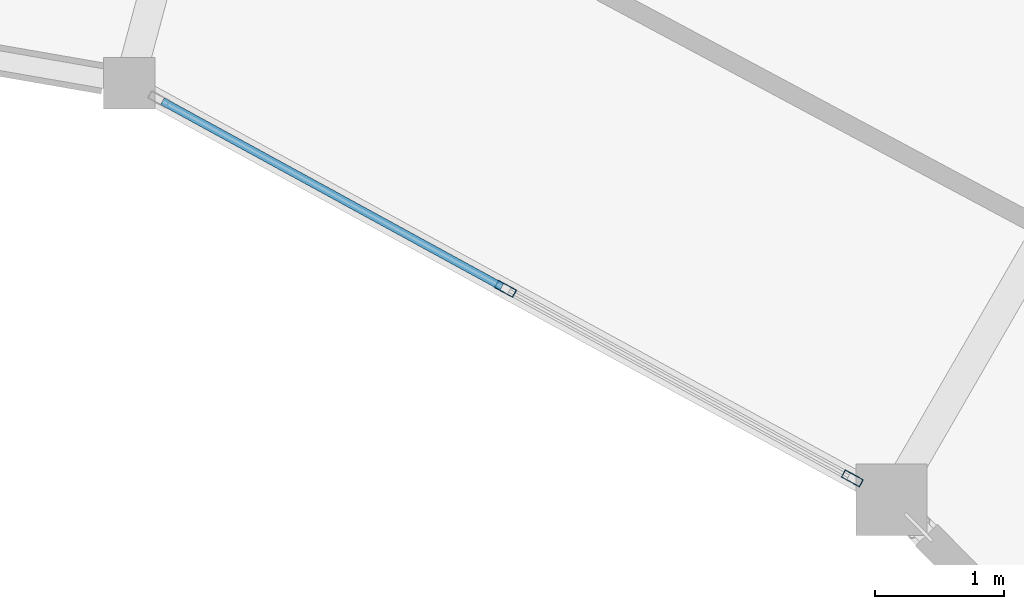
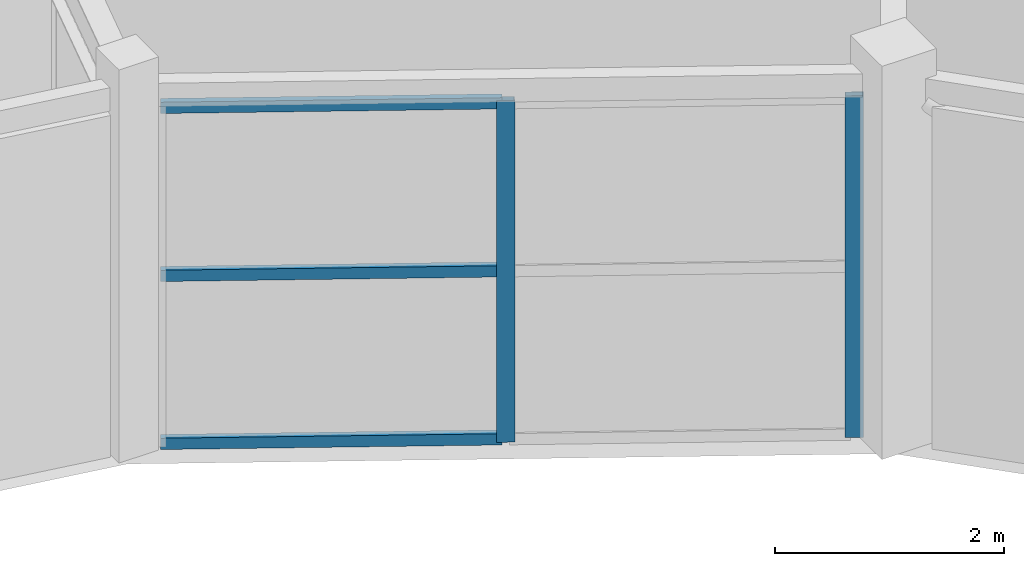
# One storey, part 75 of 134: 5 members, 1 element without a shape of its own.
"""IFC4 building model written with IfcOpenShell, lengths in metres."""

from ifc_helpers import new_model, si_unit, direction, frame, origin, origin_2d, place, context, subcontext, project, spatial, hollow_rectangle, extrude, material, material_profile, profile_set, type_object, element, aggregate, save


model = new_model("IFC4")

# Units and contexts
model_context = context("Model", 3, precision=1e-05, world=origin(), true_north=direction((0.0, 1.0)))
body_context = subcontext(model_context, "Body", "Model", "MODEL_VIEW")
ifc_project = project(units=[si_unit("LENGTHUNIT", "METRE"), si_unit("AREAUNIT", "SQUARE_METRE"), si_unit("VOLUMEUNIT", "CUBIC_METRE"), si_unit("PLANEANGLEUNIT", "RADIAN"), si_unit("MASSUNIT", "GRAM", prefix="KILO")], contexts=[model_context])

# Site, building, storey
site_placement = place(None, origin())
site = spatial("IfcSite", under=ifc_project, at=site_placement, CompositionType="ELEMENT")
building_placement = place(site_placement, origin())
building = spatial("IfcBuilding", under=site, at=building_placement, Name="Karori Crest Natural Sciences Institute", CompositionType="ELEMENT")
storey_placement = place(building_placement, frame((0.0, 0.0, 21.699951171875)))
storey = spatial("IfcBuildingStorey", under=building, at=storey_placement, Name="L05", CompositionType="ELEMENT", Elevation=21.699951171875)

# Curtain wall, members
ifc_material = material(Name="Anodised architectural aluminium 6063-T6", Category="aluminium")
curtain_wall_type = type_object("IfcCurtainWallType", Name="CWT-15", PredefinedType="NOTDEFINED", material=ifc_material)
curtain_wall_placement = place(storey_placement, origin())
curtain_wall = element("IfcCurtainWall", 1, at=curtain_wall_placement, inside=storey, type_object=curtain_wall_type, Name="Curtain wall CW-0179", PredefinedType="NOTDEFINED")
ifc_material_profile_1 = material_profile(ifc_material, hollow_rectangle(XDim=0.06494140625, YDim=0.159912109375, WallThickness=0.00390625, at=origin_2d()), Name="CWM160x65x4")
ifc_profile_set_1 = profile_set([ifc_material_profile_1], Name="Anodised architectural aluminium 6063-T6")
member_type_1 = type_object("IfcMemberType", Name="CWM-01", PredefinedType="MULLION", material=ifc_profile_set_1)
member_1_placement = place(storey_placement, frame((78.29833984375, 77.950927734375, 0.0), z_axis=(0.0, 0.0, 1.0), x_axis=(-0.479631017431, -0.877470277057, 0.0)))
member_1 = element("IfcMember", 2, at=member_1_placement, type_object=member_type_1, Name="CW-0179 mullion 1", PredefinedType="MULLION", context=body_context, shape_type="SweptSolid", body=[
    extrude(hollow_rectangle(XDim=0.06494140625, YDim=0.159912109375, WallThickness=0.00390625, at=origin_2d()), origin(), (0.0, 0.0, 1.0), 3.650146484375),
])
member_2_placement = place(storey_placement, frame((75.6201171875, 79.414794921875, 0.0), z_axis=(0.0, 0.0, 1.0), x_axis=(-0.479631017431, -0.877470277057, 0.0)))
member_2 = element("IfcMember", 3, at=member_2_placement, type_object=member_type_1, Name="CW-0179 mullion 2", PredefinedType="MULLION", context=body_context, shape_type="SweptSolid", body=[
    extrude(hollow_rectangle(XDim=0.06494140625, YDim=0.159912109375, WallThickness=0.00390625, at=origin_2d()), origin(), (0.0, 0.0, 1.0), 3.650146484375),
])
ifc_material_profile_2 = material_profile(ifc_material, hollow_rectangle(XDim=0.06005859375, YDim=0.1201171875, WallThickness=0.00390625, at=origin_2d()), Name="CWT120x60x4")
ifc_profile_set_2 = profile_set([ifc_material_profile_2], Name="Anodised architectural aluminium 6063-T6")
member_type_2 = type_object("IfcMemberType", Name="CWT-TR1", PredefinedType="USERDEFINED", material=ifc_profile_set_2)
member_3_placement = place(storey_placement, frame((75.591552734375, 79.430419921875, 0.030029296875), z_axis=(-0.877448541585, 0.479670779672, 0.0), x_axis=(-0.479670779672, -0.877448541585, 0.0)))
member_3 = element("IfcMember", 4, at=member_3_placement, type_object=member_type_2, Name="CW-0179 transom 2.1", ObjectType="TRANSOM", PredefinedType="USERDEFINED", context=body_context, shape_type="SweptSolid", body=[
    extrude(hollow_rectangle(XDim=0.06005859375, YDim=0.1201171875, WallThickness=0.00390625, at=origin_2d()), origin(), (0.0, 0.0, 1.0), 2.987060546875),
])
member_4_placement = place(storey_placement, frame((75.591552734375, 79.430419921875, 1.824951171875), z_axis=(-0.877448541585, 0.479670779672, 0.0), x_axis=(-0.479670779672, -0.877448541585, 0.0)))
member_4 = element("IfcMember", 5, at=member_4_placement, type_object=member_type_2, Name="CW-0179 transom 2.2", ObjectType="TRANSOM", PredefinedType="USERDEFINED", context=body_context, shape_type="SweptSolid", body=[
    extrude(hollow_rectangle(XDim=0.06005859375, YDim=0.1201171875, WallThickness=0.00390625, at=origin_2d()), origin(), (0.0, 0.0, 1.0), 2.987060546875),
])
member_5_placement = place(storey_placement, frame((75.591552734375, 79.430419921875, 3.6201171875), z_axis=(-0.877448541585, 0.479670779672, 0.0), x_axis=(-0.479670779672, -0.877448541585, 0.0)))
member_5 = element("IfcMember", 6, at=member_5_placement, type_object=member_type_2, Name="CW-0179 transom 2.3", ObjectType="TRANSOM", PredefinedType="USERDEFINED", context=body_context, shape_type="SweptSolid", body=[
    extrude(hollow_rectangle(XDim=0.06005859375, YDim=0.1201171875, WallThickness=0.00390625, at=origin_2d()), origin(), (0.0, 0.0, 1.0), 2.987060546875),
])
aggregate(curtain_wall, [member_1, member_2, member_3, member_4, member_5])

save(model, "model.ifc")
